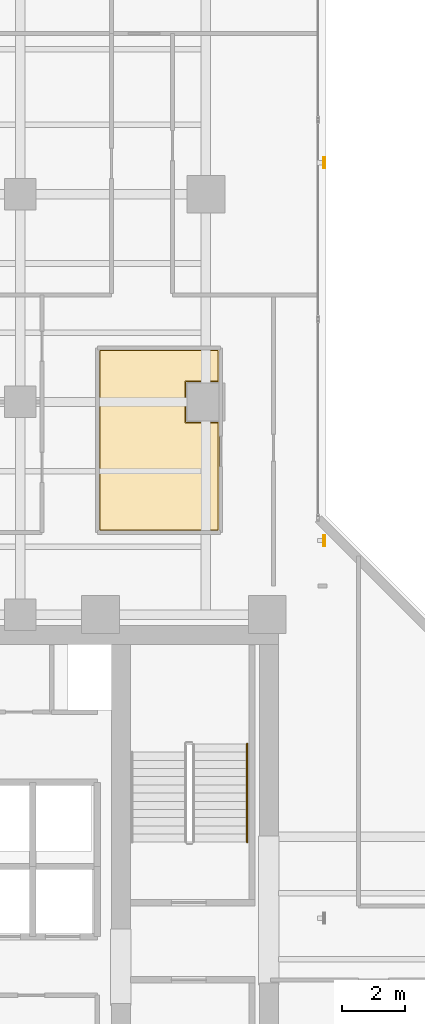
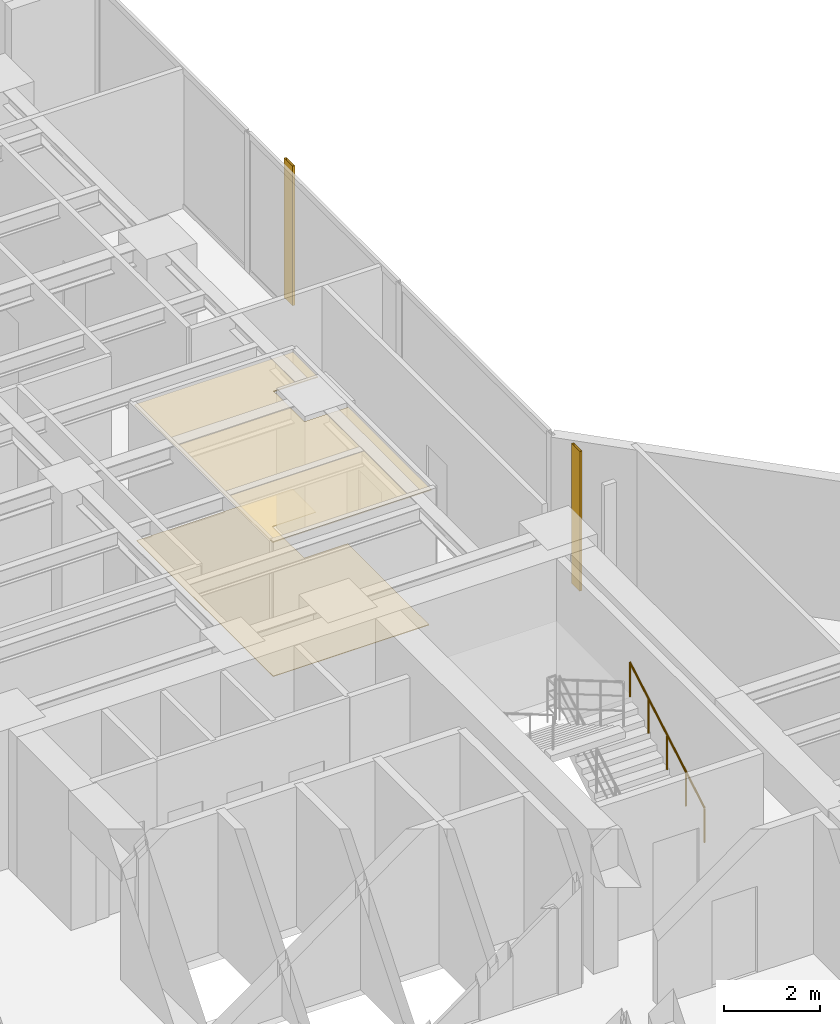
# One storey, part 24 of 24: 2 coverings, 2 shading devices, 1 railing.
"""IFC4 building model written with IfcOpenShell, lengths in metres."""

from ifc_helpers import new_model, si_unit, direction, frame, origin, origin_2d, place, context, subcontext, project, spatial, polyline, hollow_rectangle, circle, outline, extrude, material, layer, layer_set, material_profile, profile_set, type_object, element, save


model = new_model("IFC4")

# Units and contexts
model_context = context("Model", 3, precision=1e-05, world=origin(), true_north=direction((0.0, 1.0)))
body_context = subcontext(model_context, "Body", "Model", "MODEL_VIEW")
ifc_project = project(units=[si_unit("LENGTHUNIT", "METRE"), si_unit("AREAUNIT", "SQUARE_METRE"), si_unit("VOLUMEUNIT", "CUBIC_METRE"), si_unit("PLANEANGLEUNIT", "RADIAN"), si_unit("MASSUNIT", "GRAM", prefix="KILO")], contexts=[model_context])

# Site, building, storey
site_placement = place(None, origin())
site = spatial("IfcSite", under=ifc_project, at=site_placement, CompositionType="ELEMENT")
building_placement = place(site_placement, origin())
building = spatial("IfcBuilding", under=site, at=building_placement, Name="Kolvaren Waterfront Exchange", CompositionType="ELEMENT")
storey_placement = place(building_placement, frame((0.0, 0.0, 169.0)))
storey = spatial("IfcBuildingStorey", under=building, at=storey_placement, Name="L43", CompositionType="ELEMENT", Elevation=169.0)

# Covering
ifc_material_1 = material(Name="Mineral fibre acoustic ceiling tile")
ifc_layer_1 = layer(ifc_material_1, 0.02490234375, Name="Mineral fibre acoustic ceiling tile")
ifc_layer_set_1 = layer_set([ifc_layer_1], Name="Mineral fibre acoustic ceiling tile")
covering_type_1 = type_object("IfcCoveringType", Name="ARC-CEIL-ACOUSTIC-25", PredefinedType="CEILING", material=ifc_layer_set_1)
covering_1_placement = place(storey_placement, frame((0.0, 0.0, 3.445068359375)))
element("IfcCovering", 1, at=covering_1_placement, inside=storey, type_object=covering_type_1, Name="L43 acoustic suspended ceiling 1", PredefinedType="CEILING", context=body_context, shape_type="SweptSolid", body=[
    extrude(outline(polyline([(19.22509765625, 30.56005859375), (18.159912109375, 30.56005859375), (18.159912109375, 31.840087890625), (19.22509765625, 31.840087890625), (19.22509765625, 32.875), (15.39501953125, 32.875), (15.39501953125, 27.094970703125), (19.22509765625, 27.094970703125), (19.22509765625, 30.56005859375)])), origin(), (0.0, 0.0, 1.0), 0.02490234375),
])

# Shading devices
ifc_material_2 = material(Name="Anodised bronze aluminium 6063-T6", Category="aluminium")
ifc_material_profile = material_profile(ifc_material_2, hollow_rectangle(XDim=0.06005859375, YDim=0.35009765625, WallThickness=0.0048828125, at=origin_2d()), Name="BRZ-FIN-350x60x5")
ifc_profile_set = profile_set([ifc_material_profile], Name="Anodised bronze aluminium 6063-T6")
shading_device_type = type_object("IfcShadingDeviceType", Name="ARC-FIN-350", PredefinedType="USERDEFINED", material=ifc_profile_set)
for number, where, z_axis, x_axis, name in (
    (2, (22.56005859375, 26.800048828125, 0.0), (0.0, 0.0, 1.0), (1.0, 0.0, 0.0), "L43 anodised bronze solar shading fin FIN-L43-E2"),
    (3, (22.56005859375, 38.800048828125, 0.0), (0.0, 0.0, 1.0), (1.0, 0.0, 0.0), "L43 anodised bronze solar shading fin FIN-L43-E3"),
):
    element("IfcShadingDevice", number, at=place(storey_placement, frame(where, z_axis=z_axis, x_axis=x_axis)), inside=storey, type_object=shading_device_type, Name=name, ObjectType="SOLAR FIN", PredefinedType="USERDEFINED", context=body_context, shape_type="SweptSolid", body=[
        extrude(hollow_rectangle(XDim=0.06005859375, YDim=0.35009765625, WallThickness=0.0048828125, at=origin_2d()), origin(), (0.0, 0.0, 1.0), 3.56005859375),
    ])

# Covering
ifc_material_3 = material(Name="Slip-resistant porcelain tile")
ifc_layer_2 = layer(ifc_material_3, 0.014892578125, Name="Slip-resistant porcelain tile")
ifc_layer_set_2 = layer_set([ifc_layer_2], Name="Slip-resistant porcelain tile")
covering_type_2 = type_object("IfcCoveringType", Name="ARC-FLR-PORC-15", PredefinedType="FLOORING", material=ifc_layer_set_2)
covering_2_placement = place(storey_placement, origin())
element("IfcCovering", 4, at=covering_2_placement, inside=storey, type_object=covering_type_2, Name="L43 floor finish 1", PredefinedType="FLOORING", context=body_context, shape_type="SweptSolid", body=[
    extrude(outline(polyline([(15.429931640625, 32.840087890625), (15.429931640625, 27.1298828125), (19.18994140625, 27.1298828125), (19.18994140625, 30.5400390625), (18.139892578125, 30.5400390625), (18.139892578125, 31.860107421875), (19.18994140625, 31.860107421875), (19.18994140625, 32.840087890625), (15.429931640625, 32.840087890625)])), origin(), (0.0, 0.0, 1.0), 0.014892578125),
])

# Railing
ifc_material_4 = material(Name="Stainless steel 316", Category="steel")
railing_type = type_object("IfcRailingType", Name="ARC-HANDRAIL-900", PredefinedType="HANDRAIL", material=ifc_material_4)
railing_placement = place(storey_placement, frame((20.110107421875, 17.219970703125, 0.152099609375)))
element("IfcRailing", 5, at=railing_placement, inside=storey, type_object=railing_type, Name="L43 ST2 stair handrail 1", PredefinedType="HANDRAIL", context=body_context, shape_type="SweptSolid", body=[
    extrude(circle(Radius=0.02392578125, at=origin_2d()), frame((0.0, 0.0, 0.8759765625), z_axis=(0.0, 0.86330811405, 0.504677223793), x_axis=(-1.0, 0.0, 0.0)), (0.0, 0.0, 1.0), 3.6142578125),
    extrude(circle(Radius=0.02099609375, at=origin_2d()), origin(), (0.0, 0.0, 1.0), 0.851806640625),
    extrude(circle(Radius=0.02099609375, at=origin_2d()), frame((0.0, 0.780029296875, 0.4560546875)), (0.0, 0.0, 1.0), 0.851806640625),
    extrude(circle(Radius=0.02099609375, at=origin_2d()), frame((0.0, 1.56005859375, 0.912109375)), (0.0, 0.0, 1.0), 0.851806640625),
    extrude(circle(Radius=0.02099609375, at=origin_2d()), frame((0.0, 2.340087890625, 1.367919921875)), (0.0, 0.0, 1.0), 0.851806640625),
    extrude(circle(Radius=0.02099609375, at=origin_2d()), frame((0.0, 3.1201171875, 1.823974609375)), (0.0, 0.0, 1.0), 0.851806640625),
])

save(model, "model.ifc")
